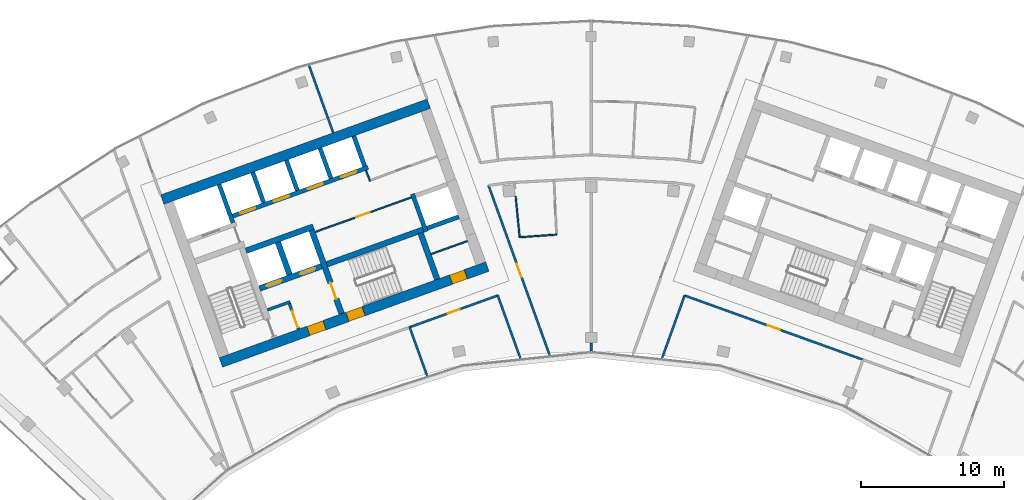
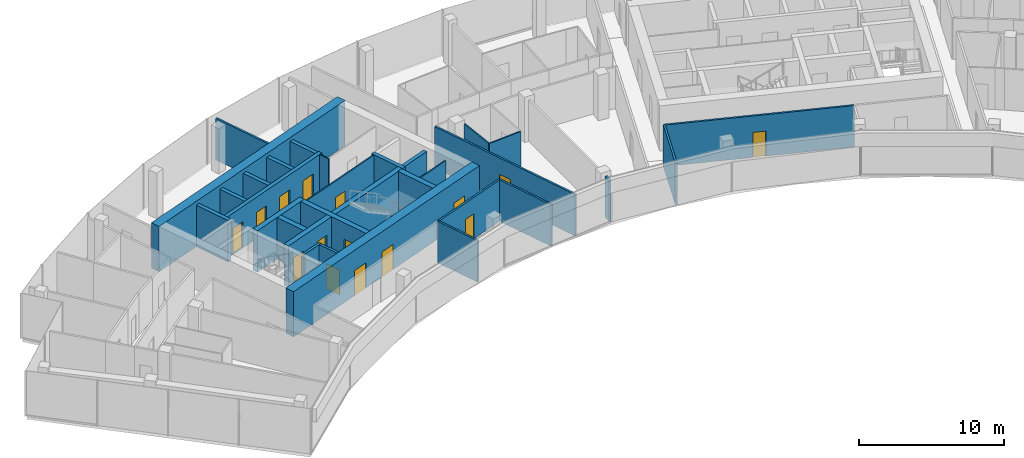
# One storey, part 13 of 18: 30 walls, 15 doors, 15 openings.
"""IFC4 building model written with IfcOpenShell, lengths in metres."""

import ifcopenshell
import ifcopenshell.guid

model = None  # the IFC model being written
_history = None  # IfcOwnerHistory: only IFC2X3 demands one
_inside = {}  # id of a spatial element -> (the spatial element, [elements in it])
_under = {}  # id of a project, library or spatial element -> (it, [spatial elements below it])
_declared = {}  # id of a project -> (the project, [libraries it declares])
_typed = {}  # id of a type object -> (the type object, [elements of that type])
_made_of = {}  # id of a material, layer set ... -> (it, [elements and type objects made of it])


def new_model(schema):
    """Start an empty IFC model of exactly this schema.

    Asked for "IFC4X3", IfcOpenShell would pick the latest addendum, in which some entities
    have other attributes; the version numbers below select the first issue.
    IFC2X3 requires an IfcOwnerHistory on every rooted entity: one is made here for all.
    """
    global model, _history
    if schema == "IFC4X3":
        model = ifcopenshell.file(schema_version=(4, 3, 0, 0))
    else:
        model = ifcopenshell.file(schema=schema)
    _inside.clear()
    _under.clear()
    _declared.clear()
    _typed.clear()
    _made_of.clear()
    _history = None
    if model.schema == "IFC2X3":
        org = make("IfcOrganization", Name="unknown")
        user = make(
            "IfcPersonAndOrganization",
            ThePerson=make("IfcPerson", FamilyName="unknown"),
            TheOrganization=org,
        )
        app = make(
            "IfcApplication",
            ApplicationDeveloper=org,
            Version="unknown",
            ApplicationFullName="unknown",
            ApplicationIdentifier="unknown",
        )
        _history = make(
            "IfcOwnerHistory",
            OwningUser=user,
            OwningApplication=app,
            ChangeAction="ADDED",
            CreationDate=0,
        )
    return model


def make(cls, **values):
    """One entity of the class cls with the attributes given. An attribute that is None is left unset."""
    return model.create_entity(
        cls, **{name: value for name, value in values.items() if value is not None}
    )


def rooted(cls, **values):
    """An entity with a GlobalId (a new one), such as an element, a storey or a relation."""
    return make(cls, GlobalId=ifcopenshell.guid.new(), OwnerHistory=_history, **values)


def si_unit(unit_type, name, prefix=None):
    """IfcSIUnit, for example si_unit("LENGTHUNIT", "METRE", prefix="MILLI")."""
    return make("IfcSIUnit", UnitType=unit_type, Prefix=prefix, Name=name)


def assignment(units):
    """IfcUnitAssignment: the units of a project."""
    return None if units is None else make("IfcUnitAssignment", Units=units)


def point(xyz):
    """IfcCartesianPoint."""
    return None if xyz is None else make("IfcCartesianPoint", Coordinates=xyz)


def direction(xyz):
    """IfcDirection."""
    return None if xyz is None else make("IfcDirection", DirectionRatios=xyz)


def frame(location, z_axis=None, x_axis=None):
    """IfcAxis2Placement3D, a coordinate frame: its origin and axes. An axis left out is left unset."""
    return make(
        "IfcAxis2Placement3D",
        Location=point(location),
        Axis=direction(z_axis),
        RefDirection=direction(x_axis),
    )


def frame_2d(location, x_axis=None):
    """IfcAxis2Placement2D, a coordinate frame in the plane: its origin and x axis."""
    return make(
        "IfcAxis2Placement2D", Location=point(location), RefDirection=direction(x_axis)
    )


def origin():
    """The frame at (0, 0, 0) with its axes left unset."""
    return frame((0.0, 0.0, 0.0))


def place(relative_to, where):
    """IfcLocalPlacement: puts the frame where relative to a parent placement (None: the world)."""
    return make(
        "IfcLocalPlacement", PlacementRelTo=relative_to, RelativePlacement=where
    )


def context(
    kind, dimensions, precision=None, world=None, true_north=None, identifier=None
):
    """IfcGeometricRepresentationContext, for example the 3D "Model" context."""
    return make(
        "IfcGeometricRepresentationContext",
        ContextIdentifier=identifier,
        ContextType=kind,
        CoordinateSpaceDimension=dimensions,
        Precision=precision,
        WorldCoordinateSystem=world,
        TrueNorth=true_north,
    )


def subcontext(parent, identifier, kind, view, scale=None):
    """IfcGeometricRepresentationSubContext, for example "Body" below "Model"."""
    return make(
        "IfcGeometricRepresentationSubContext",
        ContextIdentifier=identifier,
        ContextType=kind,
        ParentContext=parent,
        TargetScale=scale,
        TargetView=view,
    )


def project(units=None, contexts=None):
    """IfcProject with its units and contexts."""
    return rooted(
        "IfcProject",
        Name="project",
        RepresentationContexts=contexts,
        UnitsInContext=assignment(units),
    )


def spatial(cls, under=None, at=None, **own):
    """A site, building, storey or space (cls), placed at a placement, below another one or the project."""
    s = rooted(cls, ObjectPlacement=at, **own)
    if under is not None:
        _under.setdefault(under.id(), (under, []))[1].append(s)
    return s


def profile(cls, at=None, kind="AREA", **sizes):
    """A parametric profile (cls). Its sizes go by their IFC names, for example OverallWidth=200.0."""
    return make(cls, ProfileType=kind, Position=at, **sizes)


def rectangle(**sizes):
    """IfcRectangleProfileDef."""
    return profile("IfcRectangleProfileDef", **sizes)


def extrude(swept, where, along, depth):
    """IfcExtrudedAreaSolid: the profile swept, set in the frame where, extruded along a direction by depth."""
    return make(
        "IfcExtrudedAreaSolid",
        SweptArea=swept,
        Position=where,
        ExtrudedDirection=direction(along),
        Depth=depth,
    )


def shape(context_of_items, identifier, shape_type, items):
    """IfcShapeRepresentation: the items that make up one representation, for example the "Body"."""
    return make(
        "IfcShapeRepresentation",
        ContextOfItems=context_of_items,
        RepresentationIdentifier=identifier,
        RepresentationType=shape_type,
        Items=items,
    )


def material(Name=None, Category=None):
    """IfcMaterial."""
    return make("IfcMaterial", Name=Name, Category=Category)


def layer(
    of_material, thickness, ventilated=None, Name=None, Category=None, Priority=None
):
    """IfcMaterialLayer: one layer of a wall or slab, of a material (None: an air gap)."""
    return make(
        "IfcMaterialLayer",
        Material=of_material,
        LayerThickness=thickness,
        IsVentilated=ventilated,
        Name=Name,
        Category=Category,
        Priority=Priority,
    )


def layer_set(layers, Name=None):
    """IfcMaterialLayerSet."""
    return make("IfcMaterialLayerSet", MaterialLayers=layers, LayerSetName=Name)


def made_of(thing, what):
    """Note that an element or type object is made of a material, layer set ...; save() writes the relation."""
    if what is not None:
        _made_of.setdefault(what.id(), (what, []))[1].append(thing)
    return thing


def type_object(cls, material=None, **own):
    """A type object (cls), such as IfcWallType, which elements share."""
    return made_of(rooted(cls, **own), material)


def element(
    cls,
    number,
    at=None,
    inside=None,
    cuts=None,
    type_object=None,
    material=None,
    context=None,
    identifier="Body",
    shape_type=None,
    held_by="IfcProductDefinitionShape",
    body=None,
    shapes=None,
    **own,
):
    """One element of the class cls, such as IfcWall. Its Tag is "e" and its number.

    at: its placement. inside: the storey or other place that contains it. cuts: it is an
    opening in that element (IfcRelVoidsElement). A single representation is given by context,
    identifier, shape_type and body (its items); several are given by shapes. held_by: the class
    of the entity that holds the representations. save() writes the other relations.
    """
    e = rooted(cls, Tag="e%d" % number, ObjectPlacement=at, **own)
    if body is not None:
        shapes = [shape(context, identifier, shape_type, body)]
    if shapes is not None:
        e.Representation = make(held_by, Representations=shapes)
    if inside is not None:
        _inside.setdefault(inside.id(), (inside, []))[1].append(e)
    if cuts is not None:
        rooted(
            "IfcRelVoidsElement", RelatingBuildingElement=cuts, RelatedOpeningElement=e
        )
    if type_object is not None:
        _typed.setdefault(type_object.id(), (type_object, []))[1].append(e)
    return made_of(e, material)


def fill(opening, filler):
    """IfcRelFillsElement: the door or window that sits in an opening."""
    return rooted(
        "IfcRelFillsElement",
        RelatingOpeningElement=opening,
        RelatedBuildingElement=filler,
    )


def aggregate(whole, parts):
    """IfcRelAggregates: a whole, such as a stair, and the parts it consists of."""
    return rooted("IfcRelAggregates", RelatingObject=whole, RelatedObjects=parts)


def save(model, path):
    """Write the relations noted so far, then the file.

    IfcRelAggregates (storeys below a building ...), IfcRelContainedInSpatialStructure (elements
    in a storey), IfcRelDefinesByType, IfcRelAssociatesMaterial and IfcRelDeclares: one each for
    every whole, place, type object, material and project.
    """
    for whole, parts in _under.values():
        aggregate(whole, parts)
    for where, things in _inside.values():
        rooted(
            "IfcRelContainedInSpatialStructure",
            RelatedElements=things,
            RelatingStructure=where,
        )
    for kind, things in _typed.values():
        rooted("IfcRelDefinesByType", RelatedObjects=things, RelatingType=kind)
    for what, things in _made_of.values():
        rooted("IfcRelAssociatesMaterial", RelatedObjects=things, RelatingMaterial=what)
    for by, libraries in _declared.values():
        rooted("IfcRelDeclares", RelatingContext=by, RelatedDefinitions=libraries)
    model.write(path)


model = new_model("IFC4")

# Units and contexts
model_context = context("Model", 3, precision=1e-05, world=origin(), true_north=direction((0.0, 1.0)))
body_context = subcontext(model_context, "Body", "Model", "MODEL_VIEW")
ifc_project = project(units=[si_unit("LENGTHUNIT", "METRE"), si_unit("AREAUNIT", "SQUARE_METRE"), si_unit("VOLUMEUNIT", "CUBIC_METRE"), si_unit("PLANEANGLEUNIT", "RADIAN"), si_unit("MASSUNIT", "GRAM", prefix="KILO")], contexts=[model_context])

# Site, building, storey
site_placement = place(None, origin())
site = spatial("IfcSite", under=ifc_project, at=site_placement, CompositionType="ELEMENT")
building_placement = place(site_placement, origin())
building = spatial("IfcBuilding", under=site, at=building_placement, Name="Stone Belt Terrace Tower", CompositionType="ELEMENT")
storey_placement = place(building_placement, frame((0.0, 0.0, 284.60009765625)))
storey = spatial("IfcBuildingStorey", under=building, at=storey_placement, Name="L69", CompositionType="ELEMENT", Elevation=284.60009765625)

# Wall, opening, door
ifc_material_1 = material(Name="Plasterboard partition")
ifc_layer_1 = layer(ifc_material_1, 0.10009765625)
ifc_layer_set_1 = layer_set([ifc_layer_1], Name="Core partition 100")
wall_type_1 = type_object("IfcWallType", Name="Core partition 100", PredefinedType="PARTITIONING", material=ifc_layer_set_1)
wall_1_placement = place(storey_placement, frame((-19.29052734375, 51.829833984375, 0.0), z_axis=(0.0, 0.0, 1.0), x_axis=(0.94092179465, 0.338623945331, 0.0)))
wall_1 = element("IfcWall", 1, at=wall_1_placement, inside=storey, type_object=wall_type_1, Name="Core A wall", PredefinedType="PARTITIONING", context=body_context, shape_type="SweptSolid", body=[
    extrude(rectangle(XDim=7.14990234375, YDim=0.10009765625, at=frame_2d((3.574951171875, 0.0))), origin(), (0.0, 0.0, 1.0), 3.47998046875),
])
opening_1_placement = place(wall_1_placement, frame((3.050048828125, 0.0, 0.0)))
opening_1 = element("IfcOpeningElement", 2, at=opening_1_placement, cuts=wall_1, Name="Opening L69-C02", PredefinedType="OPENING", context=body_context, shape_type="SweptSolid", body=[
    extrude(rectangle(XDim=1.0, YDim=2.10009765625, at=frame_2d((0.5, 1.050048828125))), frame((0.0, 0.06005859375, 0.0), z_axis=(0.0, -1.0, 0.0), x_axis=(1.0, 0.0, 0.0)), (0.0, 0.0, 1.0), 0.1201171875),
])
ifc_material_2 = material(Name="Timber door leaf", Category="wood")
door_type_1 = type_object("IfcDoorType", Name="Core room door 1000", OperationType="SINGLE_SWING_LEFT", PredefinedType="DOOR", material=ifc_material_2)
door_1_placement = place(opening_1_placement, origin())
door_1 = element("IfcDoor", 3, at=door_1_placement, inside=storey, type_object=door_type_1, Name="Door to Plant room core A", OperationType="SINGLE_SWING_RIGHT", OverallHeight=2.10009765625, OverallWidth=1.0, PredefinedType="DOOR", context=body_context, shape_type="SweptSolid", body=[
    extrude(rectangle(XDim=1.0, YDim=2.10009765625, at=frame_2d((0.5, 1.050048828125))), frame((0.0, 0.02490234375, 0.0), z_axis=(0.0, -1.0, 0.0), x_axis=(1.0, 0.0, 0.0)), (0.0, 0.0, 1.0), 0.050048828125),
])
fill(opening_1, door_1)

# Walls
wall_2_placement = place(storey_placement, frame((-15.46826171875, 55.384033203125, 0.0), z_axis=(0.0, 0.0, 1.0), x_axis=(-0.338481684961, 0.940972979923, 0.0)))
element("IfcWall", 4, at=wall_2_placement, inside=storey, type_object=wall_type_1, Name="Core A wall", PredefinedType="PARTITIONING", context=body_context, shape_type="SweptSolid", body=[
    extrude(rectangle(XDim=0.7998046875, YDim=0.10009765625, at=frame_2d((0.39990234375, 0.0))), origin(), (0.0, 0.0, 1.0), 3.47998046875),
])
wall_3_placement = place(storey_placement, frame((-11.187744140625, 50.2822265625, 0.0), z_axis=(0.0, 0.0, 1.0), x_axis=(0.940949642365, 0.338546555931, 0.0)))
element("IfcWall", 5, at=wall_3_placement, inside=storey, type_object=wall_type_1, Name="Core A wall", PredefinedType="PARTITIONING", context=body_context, shape_type="SweptSolid", body=[
    extrude(rectangle(XDim=2.699951171875, YDim=0.10009765625, at=frame_2d((1.35009765625, 0.0))), origin(), (0.0, 0.0, 1.0), 3.47998046875),
])

# Wall, openings, doors
ifc_material_3 = material(Name="Concrete B60", Category="concrete")
ifc_layer_2 = layer(ifc_material_3, 0.699951171875)
ifc_layer_set_2 = layer_set([ifc_layer_2], Name="Core wall 700 B60")
wall_type_2 = type_object("IfcWallType", Name="Core wall 700 B60", PredefinedType="SHEAR", material=ifc_layer_set_2)
wall_4_placement = place(storey_placement, frame((-25.890869140625, 42.705810546875, 0.0), z_axis=(0.0, 0.0, 1.0), x_axis=(0.940925130461, 0.338614676094, 0.0)))
wall_4 = element("IfcWall", 6, at=wall_4_placement, inside=storey, type_object=wall_type_2, Name="Core A wall concave L69", PredefinedType="SHEAR", context=body_context, shape_type="SweptSolid", body=[
    extrude(rectangle(XDim=19.800048828125, YDim=0.699951171875, at=frame_2d((9.89990234375, 0.0))), origin(), (0.0, 0.0, 1.0), 3.7998046875),
])
opening_2_placement = place(wall_4_placement, frame((6.5, 0.0, 0.0)))
opening_2 = element("IfcOpeningElement", 7, at=opening_2_placement, cuts=wall_4, Name="Opening L69-C07", PredefinedType="OPENING", context=body_context, shape_type="SweptSolid", body=[
    extrude(rectangle(XDim=1.199951171875, YDim=2.10009765625, at=frame_2d((0.60009765625, 1.050048828125))), frame((0.0, 0.35986328125, 0.0), z_axis=(0.0, -1.0, 0.0), x_axis=(1.0, 0.0, 0.0)), (0.0, 0.0, 1.0), 0.719970703125),
])
opening_3_placement = place(wall_4_placement, frame((9.39990234375, 0.0, 0.0)))
opening_3 = element("IfcOpeningElement", 8, at=opening_3_placement, cuts=wall_4, Name="Opening L69-C09", PredefinedType="OPENING", context=body_context, shape_type="SweptSolid", body=[
    extrude(rectangle(XDim=1.199951171875, YDim=2.10009765625, at=frame_2d((0.60009765625, 1.050048828125))), frame((0.0, 0.35986328125, 0.0), z_axis=(0.0, -1.0, 0.0), x_axis=(1.0, 0.0, 0.0)), (0.0, 0.0, 1.0), 0.719970703125),
])
opening_4_placement = place(wall_4_placement, frame((17.10009765625, 0.0, 0.0)))
opening_4 = element("IfcOpeningElement", 9, at=opening_4_placement, cuts=wall_4, Name="Opening L69-C11", PredefinedType="OPENING", context=body_context, shape_type="SweptSolid", body=[
    extrude(rectangle(XDim=1.10009765625, YDim=2.10009765625, at=frame_2d((0.550048828125, 1.050048828125))), frame((0.0, 0.35986328125, 0.0), z_axis=(0.0, -1.0, 0.0), x_axis=(1.0, 0.0, 0.0)), (0.0, 0.0, 1.0), 0.719970703125),
])
door_type_2 = type_object("IfcDoorType", Name="Core room door 1100", OperationType="SINGLE_SWING_LEFT", PredefinedType="DOOR", material=ifc_material_2)
door_2_placement = place(opening_4_placement, origin())
door_2 = element("IfcDoor", 10, at=door_2_placement, inside=storey, type_object=door_type_2, Name="Door to Cleaner's store core A", OperationType="SINGLE_SWING_RIGHT", OverallHeight=2.10009765625, OverallWidth=1.10009765625, PredefinedType="DOOR", context=body_context, shape_type="SweptSolid", body=[
    extrude(rectangle(XDim=1.10009765625, YDim=2.10009765625, at=frame_2d((0.550048828125, 1.050048828125))), frame((0.0, 0.330078125, 0.0), z_axis=(0.0, -1.0, 0.0), x_axis=(1.0, 0.0, 0.0)), (0.0, 0.0, 1.0), 0.659912109375),
])
fill(opening_4, door_2)
ifc_material_4 = material(Name="Steel door leaf", Category="steel")
door_type_3 = type_object("IfcDoorType", Name="Fire-fighting lobby door 1200", OperationType="SINGLE_SWING_LEFT", PredefinedType="DOOR", material=ifc_material_4)
door_3_placement = place(opening_2_placement, origin())
door_3 = element("IfcDoor", 11, at=door_3_placement, inside=storey, type_object=door_type_3, Name="Fire-fighting lobby door core A", OperationType="SINGLE_SWING_RIGHT", OverallHeight=2.10009765625, OverallWidth=1.199951171875, PredefinedType="DOOR", context=body_context, shape_type="SweptSolid", body=[
    extrude(rectangle(XDim=1.199951171875, YDim=2.10009765625, at=frame_2d((0.60009765625, 1.050048828125))), frame((0.0, 0.330078125, 0.0), z_axis=(0.0, -1.0, 0.0), x_axis=(1.0, 0.0, 0.0)), (0.0, 0.0, 1.0), 0.659912109375),
])
fill(opening_2, door_3)
door_type_4 = type_object("IfcDoorType", Name="Stair door 1200", OperationType="SINGLE_SWING_LEFT", PredefinedType="DOOR", material=ifc_material_4)
door_4_placement = place(opening_3_placement, origin())
door_4 = element("IfcDoor", 12, at=door_4_placement, inside=storey, type_object=door_type_4, Name="Stair 2 exit door core A", OperationType="SINGLE_SWING_LEFT", OverallHeight=2.10009765625, OverallWidth=1.199951171875, PredefinedType="DOOR", context=body_context, shape_type="SweptSolid", body=[
    extrude(rectangle(XDim=1.199951171875, YDim=2.10009765625, at=frame_2d((0.60009765625, 1.050048828125))), frame((0.0, 0.330078125, 0.0), z_axis=(0.0, -1.0, 0.0), x_axis=(1.0, 0.0, 0.0)), (0.0, 0.0, 1.0), 0.659912109375),
])
fill(opening_3, door_4)

# Walls
wall_5_placement = place(storey_placement, frame((-29.988037109375, 54.0908203125, 0.0), z_axis=(0.0, 0.0, 1.0), x_axis=(0.940919787944, 0.33862952124, 0.0)))
element("IfcWall", 13, at=wall_5_placement, inside=storey, type_object=wall_type_2, Name="Core A wall convex L69", PredefinedType="SHEAR", context=body_context, shape_type="SweptSolid", body=[
    extrude(rectangle(XDim=19.7998046875, YDim=0.699951171875, at=frame_2d((9.89990234375, 0.0))), origin(), (0.0, 0.0, 1.0), 3.7998046875),
])
ifc_material_5 = material(Name="Concrete B80", Category="concrete")
ifc_layer_3 = layer(ifc_material_5, 0.39990234375)
ifc_layer_set_3 = layer_set([ifc_layer_3], Name="Fire-fighting lift shaft wall 400")
wall_type_3 = type_object("IfcWallType", Name="Fire-fighting lift shaft wall 400", PredefinedType="SHEAR", material=ifc_layer_set_3)
wall_6_placement = place(storey_placement, frame((-24.130615234375, 50.512939453125, 0.0), z_axis=(0.0, 0.0, 1.0), x_axis=(0.94091168377, 0.338652038744, 0.0)))
element("IfcWall", 14, at=wall_6_placement, inside=storey, type_object=wall_type_3, Name="Core A wall", PredefinedType="SHEAR", context=body_context, shape_type="SweptSolid", body=[
    extrude(rectangle(XDim=5.000244140625, YDim=0.39990234375, at=frame_2d((2.5, 0.0))), origin(), (0.0, 0.0, 1.0), 3.47998046875),
])
wall_7_placement = place(storey_placement, frame((-21.0859375, 48.845458984375, 0.0), z_axis=(0.0, 0.0, 1.0), x_axis=(-0.338629416206, 0.940919825745, 0.0)))
element("IfcWall", 15, at=wall_7_placement, inside=storey, type_object=wall_type_3, Name="Core A wall", PredefinedType="SHEAR", context=body_context, shape_type="SweptSolid", body=[
    extrude(rectangle(XDim=2.400146484375, YDim=0.39990234375, at=frame_2d((1.2001953125, 0.0))), origin(), (0.0, 0.0, 1.0), 3.47998046875),
])
ifc_layer_4 = layer(ifc_material_5, 0.300048828125)
ifc_layer_set_4 = layer_set([ifc_layer_4], Name="Lift shaft wall 300")
wall_type_4 = type_object("IfcWallType", Name="Lift shaft wall 300", PredefinedType="SHEAR", material=ifc_layer_set_4)
wall_8_placement = place(storey_placement, frame((-25.046875, 52.46826171875, 0.0), z_axis=(0.0, 0.0, 1.0), x_axis=(-0.338549588058, 0.940948551423, 0.0)))
element("IfcWall", 16, at=wall_8_placement, inside=storey, type_object=wall_type_4, Name="Core A wall", PredefinedType="SHEAR", context=body_context, shape_type="SweptSolid", body=[
    extrude(rectangle(XDim=2.849853515625, YDim=0.300048828125, at=frame_2d((1.4248046875, 0.0))), origin(), (0.0, 0.0, 1.0), 3.47998046875),
])

# Wall, openings, doors
wall_9_placement = place(storey_placement, frame((-25.05810546875, 52.9423828125, 0.0), z_axis=(0.0, 0.0, 1.0), x_axis=(0.940917446785, 0.338636026339, 0.0)))
wall_9 = element("IfcWall", 17, at=wall_9_placement, inside=storey, type_object=wall_type_4, Name="Core A wall", PredefinedType="SHEAR", context=body_context, shape_type="SweptSolid", body=[
    extrude(rectangle(XDim=10.050048828125, YDim=0.300048828125, at=frame_2d((5.02490234375, 0.0))), origin(), (0.0, 0.0, 1.0), 3.47998046875),
])
opening_5_placement = place(wall_9_placement, frame((0.570068359375, 0.0, 0.0)))
opening_5 = element("IfcOpeningElement", 18, at=opening_5_placement, cuts=wall_9, Name="Opening L69-LD01", PredefinedType="OPENING", context=body_context, shape_type="SweptSolid", body=[
    extrude(rectangle(XDim=1.10009765625, YDim=2.199951171875, at=frame_2d((0.550048828125, 1.10009765625))), frame((0.0, 0.159912109375, 0.0), z_axis=(0.0, -1.0, 0.0), x_axis=(1.0, 0.0, 0.0)), (0.0, 0.0, 1.0), 0.320068359375),
])
opening_6_placement = place(wall_9_placement, frame((3.070068359375, 0.0, 0.0)))
opening_6 = element("IfcOpeningElement", 19, at=opening_6_placement, cuts=wall_9, Name="Opening L69-LD02", PredefinedType="OPENING", context=body_context, shape_type="SweptSolid", body=[
    extrude(rectangle(XDim=1.10009765625, YDim=2.199951171875, at=frame_2d((0.550048828125, 1.10009765625))), frame((0.0, 0.159912109375, 0.0), z_axis=(0.0, -1.0, 0.0), x_axis=(1.0, 0.0, 0.0)), (0.0, 0.0, 1.0), 0.320068359375),
])
opening_7_placement = place(wall_9_placement, frame((5.570068359375, 0.0, 0.0)))
opening_7 = element("IfcOpeningElement", 20, at=opening_7_placement, cuts=wall_9, Name="Opening L69-LD03", PredefinedType="OPENING", context=body_context, shape_type="SweptSolid", body=[
    extrude(rectangle(XDim=1.10009765625, YDim=2.199951171875, at=frame_2d((0.550048828125, 1.10009765625))), frame((0.0, 0.159912109375, 0.0), z_axis=(0.0, -1.0, 0.0), x_axis=(1.0, 0.0, 0.0)), (0.0, 0.0, 1.0), 0.320068359375),
])
opening_8_placement = place(wall_9_placement, frame((8.070068359375, 0.0, 0.0)))
opening_8 = element("IfcOpeningElement", 21, at=opening_8_placement, cuts=wall_9, Name="Opening L69-LD04", PredefinedType="OPENING", context=body_context, shape_type="SweptSolid", body=[
    extrude(rectangle(XDim=1.10009765625, YDim=2.199951171875, at=frame_2d((0.550048828125, 1.10009765625))), frame((0.0, 0.159912109375, 0.0), z_axis=(0.0, -1.0, 0.0), x_axis=(1.0, 0.0, 0.0)), (0.0, 0.0, 1.0), 0.320068359375),
])
ifc_material_6 = material(Name="Stainless steel door leaf", Category="steel")
door_type_5 = type_object("IfcDoorType", Name="Landing door 1100", OperationType="SLIDING_TO_LEFT", PredefinedType="DOOR", material=ifc_material_6)
door_5_placement = place(opening_5_placement, origin())
door_5 = element("IfcDoor", 22, at=door_5_placement, inside=storey, type_object=door_type_5, Name="Landing door HR1 core A", OperationType="SLIDING_TO_LEFT", OverallHeight=2.199951171875, OverallWidth=1.10009765625, PredefinedType="DOOR", context=body_context, shape_type="SweptSolid", body=[
    extrude(rectangle(XDim=1.10009765625, YDim=2.199951171875, at=frame_2d((0.550048828125, 1.10009765625))), frame((0.0, 0.02490234375, 0.0), z_axis=(0.0, -1.0, 0.0), x_axis=(1.0, 0.0, 0.0)), (0.0, 0.0, 1.0), 0.050048828125),
])
fill(opening_5, door_5)
door_6_placement = place(opening_6_placement, origin())
door_6 = element("IfcDoor", 23, at=door_6_placement, inside=storey, type_object=door_type_5, Name="Landing door HR2 core A", OperationType="SLIDING_TO_LEFT", OverallHeight=2.199951171875, OverallWidth=1.10009765625, PredefinedType="DOOR", context=body_context, shape_type="SweptSolid", body=[
    extrude(rectangle(XDim=1.10009765625, YDim=2.199951171875, at=frame_2d((0.550048828125, 1.10009765625))), frame((0.0, 0.02490234375, 0.0), z_axis=(0.0, -1.0, 0.0), x_axis=(1.0, 0.0, 0.0)), (0.0, 0.0, 1.0), 0.050048828125),
])
fill(opening_6, door_6)
door_7_placement = place(opening_7_placement, origin())
door_7 = element("IfcDoor", 24, at=door_7_placement, inside=storey, type_object=door_type_5, Name="Landing door HR3 core A", OperationType="SLIDING_TO_LEFT", OverallHeight=2.199951171875, OverallWidth=1.10009765625, PredefinedType="DOOR", context=body_context, shape_type="SweptSolid", body=[
    extrude(rectangle(XDim=1.10009765625, YDim=2.199951171875, at=frame_2d((0.550048828125, 1.10009765625))), frame((0.0, 0.02490234375, 0.0), z_axis=(0.0, -1.0, 0.0), x_axis=(1.0, 0.0, 0.0)), (0.0, 0.0, 1.0), 0.050048828125),
])
fill(opening_7, door_7)
door_8_placement = place(opening_8_placement, origin())
door_8 = element("IfcDoor", 25, at=door_8_placement, inside=storey, type_object=door_type_5, Name="Landing door HR4 core A", OperationType="SLIDING_TO_LEFT", OverallHeight=2.199951171875, OverallWidth=1.10009765625, PredefinedType="DOOR", context=body_context, shape_type="SweptSolid", body=[
    extrude(rectangle(XDim=1.10009765625, YDim=2.199951171875, at=frame_2d((0.550048828125, 1.10009765625))), frame((0.0, 0.02490234375, 0.0), z_axis=(0.0, -1.0, 0.0), x_axis=(1.0, 0.0, 0.0)), (0.0, 0.0, 1.0), 0.050048828125),
])
fill(opening_8, door_8)

# Walls
wall_10_placement = place(storey_placement, frame((-22.897705078125, 53.87939453125, 0.0), z_axis=(0.0, 0.0, 1.0), x_axis=(-0.338535034312, 0.940953787677, 0.0)))
element("IfcWall", 26, at=wall_10_placement, inside=storey, type_object=wall_type_4, Name="Core A wall", PredefinedType="SHEAR", context=body_context, shape_type="SweptSolid", body=[
    extrude(rectangle(XDim=2.25, YDim=0.300048828125, at=frame_2d((1.125, 0.0))), origin(), (0.0, 0.0, 1.0), 3.47998046875),
])
wall_11_placement = place(storey_placement, frame((-20.54541015625, 54.72607421875, 0.0), z_axis=(0.0, 0.0, 1.0), x_axis=(-0.338569601369, 0.940941350472, 0.0)))
element("IfcWall", 27, at=wall_11_placement, inside=storey, type_object=wall_type_4, Name="Core A wall", PredefinedType="SHEAR", context=body_context, shape_type="SweptSolid", body=[
    extrude(rectangle(XDim=2.249755859375, YDim=0.300048828125, at=frame_2d((1.125, 0.0))), origin(), (0.0, 0.0, 1.0), 3.47998046875),
])
wall_12_placement = place(storey_placement, frame((-18.193115234375, 55.572509765625, 0.0), z_axis=(0.0, 0.0, 1.0), x_axis=(-0.338535034312, 0.940953787677, 0.0)))
element("IfcWall", 28, at=wall_12_placement, inside=storey, type_object=wall_type_4, Name="Core A wall", PredefinedType="SHEAR", context=body_context, shape_type="SweptSolid", body=[
    extrude(rectangle(XDim=2.25, YDim=0.300048828125, at=frame_2d((1.125, 0.0))), origin(), (0.0, 0.0, 1.0), 3.47998046875),
])
wall_13_placement = place(storey_placement, frame((-15.8408203125, 56.419189453125, 0.0), z_axis=(0.0, 0.0, 1.0), x_axis=(-0.338569601369, 0.940941350472, 0.0)))
element("IfcWall", 29, at=wall_13_placement, inside=storey, type_object=wall_type_4, Name="Core A wall", PredefinedType="SHEAR", context=body_context, shape_type="SweptSolid", body=[
    extrude(rectangle(XDim=2.249755859375, YDim=0.300048828125, at=frame_2d((1.125, 0.0))), origin(), (0.0, 0.0, 1.0), 3.47998046875),
])
wall_14_placement = place(storey_placement, frame((-11.541259765625, 51.85546875, 0.0), z_axis=(0.0, 0.0, 1.0), x_axis=(-0.338660803216, 0.940908529223, 0.0)))
element("IfcWall", 30, at=wall_14_placement, inside=storey, type_object=wall_type_4, Name="Core A wall", PredefinedType="SHEAR", context=body_context, shape_type="SweptSolid", body=[
    extrude(rectangle(XDim=2.800048828125, YDim=0.300048828125, at=frame_2d((1.39990234375, 0.0))), origin(), (0.0, 0.0, 1.0), 3.47998046875),
])
wall_15_placement = place(storey_placement, frame((-11.468017578125, 52.09423828125, 0.0), z_axis=(0.0, 0.0, 1.0), x_axis=(0.940904627055, 0.338671644496, 0.0)))
element("IfcWall", 31, at=wall_15_placement, inside=storey, type_object=wall_type_4, Name="Core A wall", PredefinedType="SHEAR", context=body_context, shape_type="SweptSolid", body=[
    extrude(rectangle(XDim=2.35009765625, YDim=0.300048828125, at=frame_2d((1.175048828125, 0.0))), origin(), (0.0, 0.0, 1.0), 3.47998046875),
])
ifc_material_7 = material(Name="Gypsum board partition")
ifc_layer_5 = layer(ifc_material_7, 0.10009765625)
ifc_layer_set_5 = layer_set([ifc_layer_5], Name="PARTITION 100")
wall_type_5 = type_object("IfcWallType", Name="PARTITION 100", PredefinedType="PARTITIONING", material=ifc_layer_set_5)
wall_16_placement = place(storey_placement, frame((-5.2822265625, 54.330322265625, 0.0), z_axis=(0.0, 0.0, 1.0), x_axis=(0.096878993902, -0.995296167249, 0.0)))
element("IfcWall", 32, at=wall_16_placement, inside=storey, type_object=wall_type_5, Name="L69/wall/i094", PredefinedType="PARTITIONING", context=body_context, shape_type="SweptSolid", body=[
    extrude(rectangle(XDim=2.883056640625, YDim=0.10009765625, at=frame_2d((1.44140625, 0.0))), origin(), (0.0, 0.0, 1.0), 3.47998046875),
])
wall_17_placement = place(storey_placement, frame((-5.0029296875, 51.4609375, 0.0), z_axis=(0.0, 0.0, 1.0), x_axis=(0.997414466357, 0.071863636854, 0.0)))
element("IfcWall", 33, at=wall_17_placement, inside=storey, type_object=wall_type_5, Name="L69/wall/i095", PredefinedType="PARTITIONING", context=body_context, shape_type="SweptSolid", body=[
    extrude(rectangle(XDim=2.588623046875, YDim=0.10009765625, at=frame_2d((1.29443359375, 0.0))), origin(), (0.0, 0.0, 1.0), 3.47998046875),
])
ifc_layer_6 = layer(ifc_material_7, 0.14990234375)
ifc_layer_set_6 = layer_set([ifc_layer_6], Name="PARTITION 150 EI 60")
wall_type_6 = type_object("IfcWallType", Name="PARTITION 150 EI 60", PredefinedType="PARTITIONING", material=ifc_layer_set_6)
wall_18_placement = place(storey_placement, frame((-4.9462890625, 42.980224609375, 0.0), z_axis=(0.0, 0.0, 1.0), x_axis=(-0.338653121837, 0.940911293943, 0.0)))
element("IfcWall", 34, at=wall_18_placement, inside=storey, type_object=wall_type_6, Name="L69/wall/i009", PredefinedType="PARTITIONING", context=body_context, shape_type="SweptSolid", body=[
    extrude(rectangle(XDim=4.69091796875, YDim=0.14990234375, at=frame_2d((2.345458984375, 0.0))), origin(), (0.0, 0.0, 1.0), 3.47998046875),
])

# Wall, opening, door
wall_19_placement = place(storey_placement, frame((-7.177978515625, 55.089111328125, 0.0), z_axis=(0.0, 0.0, 1.0), x_axis=(0.338597725617, -0.940931230328, 0.0)))
wall_19 = element("IfcWall", 35, at=wall_19_placement, inside=storey, type_object=wall_type_6, Name="L69/wall/i011", PredefinedType="PARTITIONING", context=body_context, shape_type="SweptSolid", body=[
    extrude(rectangle(XDim=12.640380859375, YDim=0.14990234375, at=frame_2d((6.3203125, 0.0))), origin(), (0.0, 0.0, 1.0), 3.47998046875),
])
opening_9_placement = place(wall_19_placement, frame((5.820068359375, 0.0, 0.0)))
opening_9 = element("IfcOpeningElement", 36, at=opening_9_placement, cuts=wall_19, Name="Opening D-E3-24", PredefinedType="OPENING", context=body_context, shape_type="SweptSolid", body=[
    extrude(rectangle(XDim=1.0, YDim=2.10009765625, at=frame_2d((0.5, 1.050048828125))), frame((0.0, 0.0849609375, 0.0), z_axis=(0.0, -1.0, 0.0), x_axis=(1.0, 0.0, 0.0)), (0.0, 0.0, 1.0), 0.169921875),
])
ifc_material_8 = material(Name="Timber fire door leaf", Category="wood")
door_type_6 = type_object("IfcDoorType", Name="TENANCY ENTRANCE DOOR 1000 X 2100", OperationType="NOTDEFINED", PredefinedType="DOOR", material=ifc_material_8)
door_9_placement = place(opening_9_placement, origin())
door_9 = element("IfcDoor", 37, at=door_9_placement, inside=storey, type_object=door_type_6, Name="L69/door/i24", OperationType="SINGLE_SWING_LEFT", OverallHeight=2.10009765625, OverallWidth=1.0, PredefinedType="DOOR", context=body_context, shape_type="SweptSolid", body=[
    extrude(rectangle(XDim=1.0, YDim=2.10009765625, at=frame_2d((0.5, 1.050048828125))), frame((0.0, 0.02490234375, 0.0), z_axis=(0.0, -1.0, 0.0), x_axis=(1.0, 0.0, 0.0)), (0.0, 0.0, 1.0), 0.050048828125),
])
fill(opening_9, door_9)

wall_20_placement = place(storey_placement, frame((-6.532958984375, 47.387939453125, 0.0), z_axis=(0.0, 0.0, 1.0), x_axis=(-0.940924925446, -0.338615245779, 0.0)))
wall_20 = element("IfcWall", 38, at=wall_20_placement, inside=storey, type_object=wall_type_6, Name="L69/wall/i014", PredefinedType="PARTITIONING", context=body_context, shape_type="SweptSolid", body=[
    extrude(rectangle(XDim=6.55322265625, YDim=0.14990234375, at=frame_2d((3.276611328125, 0.0))), origin(), (0.0, 0.0, 1.0), 3.47998046875),
])
opening_10_placement = place(wall_20_placement, frame((2.82666015625, 0.0, 0.0)))
opening_10 = element("IfcOpeningElement", 39, at=opening_10_placement, cuts=wall_20, Name="Opening D-E3-02", PredefinedType="OPENING", context=body_context, shape_type="SweptSolid", body=[
    extrude(rectangle(XDim=0.89990234375, YDim=2.10009765625, at=frame_2d((0.449951171875, 1.050048828125))), frame((0.0, 0.0849609375, 0.0), z_axis=(0.0, -1.0, 0.0), x_axis=(1.0, 0.0, 0.0)), (0.0, 0.0, 1.0), 0.169921875),
])
door_type_7 = type_object("IfcDoorType", Name="OFFICE DOOR 900 X 2100", OperationType="NOTDEFINED", PredefinedType="DOOR", material=ifc_material_2)
door_10_placement = place(opening_10_placement, origin())
door_10 = element("IfcDoor", 40, at=door_10_placement, inside=storey, type_object=door_type_7, Name="L69/door/i02", OperationType="SINGLE_SWING_RIGHT", OverallHeight=2.10009765625, OverallWidth=0.89990234375, PredefinedType="DOOR", context=body_context, shape_type="SweptSolid", body=[
    extrude(rectangle(XDim=0.89990234375, YDim=2.10009765625, at=frame_2d((0.449951171875, 1.050048828125))), frame((0.0, 0.02490234375, 0.0), z_axis=(0.0, -1.0, 0.0), x_axis=(1.0, 0.0, 0.0)), (0.0, 0.0, 1.0), 0.050048828125),
])
fill(opening_10, door_10)

# Walls
wall_21_placement = place(storey_placement, frame((-12.693115234375, 45.169921875, 0.0), z_axis=(0.0, 0.0, 1.0), x_axis=(0.33854758837, -0.940949270901, 0.0)))
element("IfcWall", 41, at=wall_21_placement, inside=storey, type_object=wall_type_6, Name="L69/wall/i015", PredefinedType="PARTITIONING", context=body_context, shape_type="SweptSolid", body=[
    extrude(rectangle(XDim=3.62158203125, YDim=0.14990234375, at=frame_2d((1.810791015625, 0.0))), origin(), (0.0, 0.0, 1.0), 3.47998046875),
])
wall_22_placement = place(storey_placement, frame((-19.726806640625, 63.465087890625, 0.0), z_axis=(0.0, 0.0, 1.0), x_axis=(0.338688316886, -0.940898625785, 0.0)))
element("IfcWall", 42, at=wall_22_placement, inside=storey, type_object=wall_type_6, Name="L69/wall/i016", PredefinedType="PARTITIONING", context=body_context, shape_type="SweptSolid", body=[
    extrude(rectangle(XDim=4.995361328125, YDim=0.14990234375, at=frame_2d((2.49755859375, 0.0))), origin(), (0.0, 0.0, 1.0), 3.47998046875),
])
wall_23_placement = place(storey_placement, frame((6.534912109375, 47.39404296875, 0.0), z_axis=(0.0, 0.0, 1.0), x_axis=(-0.338653121837, -0.940911293943, 0.0)))
element("IfcWall", 43, at=wall_23_placement, inside=storey, type_object=wall_type_6, Name="L69/wall/i017", PredefinedType="PARTITIONING", context=body_context, shape_type="SweptSolid", body=[
    extrude(rectangle(XDim=4.69091796875, YDim=0.14990234375, at=frame_2d((2.345458984375, 0.0))), origin(), (0.0, 0.0, 1.0), 3.47998046875),
])

# Wall, opening, door
wall_24_placement = place(storey_placement, frame((19.008056640625, 42.89794921875, 0.0), z_axis=(0.0, 0.0, 1.0), x_axis=(-0.940912526234, 0.338649698031, 0.0)))
wall_24 = element("IfcWall", 44, at=wall_24_placement, inside=storey, type_object=wall_type_6, Name="L69/wall/i029", PredefinedType="PARTITIONING", context=body_context, shape_type="SweptSolid", body=[
    extrude(rectangle(XDim=13.258544921875, YDim=0.14990234375, at=frame_2d((6.62939453125, 0.0))), origin(), (0.0, 0.0, 1.0), 3.47998046875),
])
opening_11_placement = place(wall_24_placement, frame((6.17919921875, 0.0, 0.0)))
opening_11 = element("IfcOpeningElement", 45, at=opening_11_placement, cuts=wall_24, Name="Opening D-E3-05", PredefinedType="OPENING", context=body_context, shape_type="SweptSolid", body=[
    extrude(rectangle(XDim=0.89990234375, YDim=2.10009765625, at=frame_2d((0.449951171875, 1.050048828125))), frame((0.0, 0.0849609375, 0.0), z_axis=(0.0, -1.0, 0.0), x_axis=(1.0, 0.0, 0.0)), (0.0, 0.0, 1.0), 0.169921875),
])
door_11_placement = place(opening_11_placement, origin())
door_11 = element("IfcDoor", 46, at=door_11_placement, inside=storey, type_object=door_type_7, Name="L69/door/i05", OperationType="SINGLE_SWING_RIGHT", OverallHeight=2.10009765625, OverallWidth=0.89990234375, PredefinedType="DOOR", context=body_context, shape_type="SweptSolid", body=[
    extrude(rectangle(XDim=0.89990234375, YDim=2.10009765625, at=frame_2d((0.449951171875, 1.050048828125))), frame((0.0, 0.02490234375, 0.0), z_axis=(0.0, -1.0, 0.0), x_axis=(1.0, 0.0, 0.0)), (0.0, 0.0, 1.0), 0.050048828125),
])
fill(opening_11, door_11)

# Walls
wall_25_placement = place(storey_placement, frame((0.0, 44.06494140625, 0.0), z_axis=(0.0, 0.0, 1.0), x_axis=(0.0, -1.0, 0.0)))
element("IfcWall", 47, at=wall_25_placement, inside=storey, type_object=wall_type_6, Name="L69/wall/i098", PredefinedType="PARTITIONING", context=body_context, shape_type="SweptSolid", body=[
    extrude(rectangle(XDim=0.56494140625, YDim=0.14990234375, at=frame_2d((0.282470703125, 0.0))), origin(), (0.0, 0.0, 1.0), 3.47998046875),
])
ifc_material_9 = material(Name="Concrete masonry block", Category="masonry")
ifc_layer_7 = layer(ifc_material_9, 0.199951171875)
ifc_layer_set_7 = layer_set([ifc_layer_7], Name="Rated lobby wall 200")
wall_type_7 = type_object("IfcWallType", Name="Rated lobby wall 200", PredefinedType="PARTITIONING", material=ifc_layer_set_7)
wall_26_placement = place(storey_placement, frame((-22.640625, 46.373046875, 0.0), z_axis=(0.0, 0.0, 1.0), x_axis=(0.940966110313, 0.338500781747, 0.0)))
element("IfcWall", 48, at=wall_26_placement, inside=storey, type_object=wall_type_7, Name="Core A wall", PredefinedType="PARTITIONING", context=body_context, shape_type="SweptSolid", body=[
    extrude(rectangle(XDim=1.699951171875, YDim=0.199951171875, at=frame_2d((0.85009765625, 0.0))), origin(), (0.0, 0.0, 1.0), 3.47998046875),
])

# Wall, opening, door
wall_27_placement = place(storey_placement, frame((-20.4580078125, 45.032958984375, 0.0), z_axis=(0.0, 0.0, 1.0), x_axis=(-0.338573865316, 0.940939816208, 0.0)))
wall_27 = element("IfcWall", 49, at=wall_27_placement, inside=storey, type_object=wall_type_7, Name="Core A wall", PredefinedType="PARTITIONING", context=body_context, shape_type="SweptSolid", body=[
    extrude(rectangle(XDim=1.900146484375, YDim=0.199951171875, at=frame_2d((0.9501953125, 0.0))), origin(), (0.0, 0.0, 1.0), 3.47998046875),
])
opening_12_placement = place(wall_27_placement, frame((0.14990234375, 0.0, 0.0)))
opening_12 = element("IfcOpeningElement", 50, at=opening_12_placement, cuts=wall_27, Name="Opening L69-C06", PredefinedType="OPENING", context=body_context, shape_type="SweptSolid", body=[
    extrude(rectangle(XDim=1.199951171875, YDim=2.10009765625, at=frame_2d((0.60009765625, 1.050048828125))), frame((0.0, 0.10986328125, 0.0), z_axis=(0.0, -1.0, 0.0), x_axis=(1.0, 0.0, 0.0)), (0.0, 0.0, 1.0), 0.219970703125),
])
door_12_placement = place(opening_12_placement, origin())
door_12 = element("IfcDoor", 51, at=door_12_placement, inside=storey, type_object=door_type_4, Name="Stair airlock door core A", OperationType="SINGLE_SWING_RIGHT", OverallHeight=2.10009765625, OverallWidth=1.199951171875, PredefinedType="DOOR", context=body_context, shape_type="SweptSolid", body=[
    extrude(rectangle(XDim=1.199951171875, YDim=2.10009765625, at=frame_2d((0.60009765625, 1.050048828125))), frame((0.0, 0.02490234375, 0.0), z_axis=(0.0, -1.0, 0.0), x_axis=(1.0, 0.0, 0.0)), (0.0, 0.0, 1.0), 0.050048828125),
])
fill(opening_12, door_12)

# Wall, openings, doors
ifc_layer_8 = layer(ifc_material_5, 0.39990234375)
ifc_layer_set_8 = layer_set([ifc_layer_8], Name="Stair enclosure wall 400")
wall_type_8 = type_object("IfcWallType", Name="Stair enclosure wall 400", PredefinedType="SHEAR", material=ifc_layer_set_8)
wall_28_placement = place(storey_placement, frame((-23.182373046875, 47.87841796875, 0.0), z_axis=(0.0, 0.0, 1.0), x_axis=(0.940921731919, 0.338624119641, 0.0)))
wall_28 = element("IfcWall", 52, at=wall_28_placement, inside=storey, type_object=wall_type_8, Name="Core A wall", PredefinedType="SHEAR", context=body_context, shape_type="SweptSolid", body=[
    extrude(rectangle(XDim=12.14990234375, YDim=0.39990234375, at=frame_2d((6.074951171875, 0.0))), origin(), (0.0, 0.0, 1.0), 3.47998046875),
])
opening_13_placement = place(wall_28_placement, frame((0.52001953125, 0.0, 0.0)))
opening_13 = element("IfcOpeningElement", 53, at=opening_13_placement, cuts=wall_28, Name="Opening L69-LD05", PredefinedType="OPENING", context=body_context, shape_type="SweptSolid", body=[
    extrude(rectangle(XDim=1.10009765625, YDim=2.199951171875, at=frame_2d((0.550048828125, 1.10009765625))), frame((0.0, 0.2099609375, 0.0), z_axis=(0.0, -1.0, 0.0), x_axis=(1.0, 0.0, 0.0)), (0.0, 0.0, 1.0), 0.419921875),
])
opening_14_placement = place(wall_28_placement, frame((3.02001953125, 0.0, 0.0)))
opening_14 = element("IfcOpeningElement", 54, at=opening_14_placement, cuts=wall_28, Name="Opening L69-LD06", PredefinedType="OPENING", context=body_context, shape_type="SweptSolid", body=[
    extrude(rectangle(XDim=1.10009765625, YDim=2.199951171875, at=frame_2d((0.550048828125, 1.10009765625))), frame((0.0, 0.2099609375, 0.0), z_axis=(0.0, -1.0, 0.0), x_axis=(1.0, 0.0, 0.0)), (0.0, 0.0, 1.0), 0.419921875),
])
door_13_placement = place(opening_13_placement, origin())
door_13 = element("IfcDoor", 55, at=door_13_placement, inside=storey, type_object=door_type_5, Name="Landing door FF1 core A", OperationType="SLIDING_TO_LEFT", OverallHeight=2.199951171875, OverallWidth=1.10009765625, PredefinedType="DOOR", context=body_context, shape_type="SweptSolid", body=[
    extrude(rectangle(XDim=1.10009765625, YDim=2.199951171875, at=frame_2d((0.550048828125, 1.10009765625))), frame((0.0, 0.02490234375, 0.0), z_axis=(0.0, -1.0, 0.0), x_axis=(1.0, 0.0, 0.0)), (0.0, 0.0, 1.0), 0.050048828125),
])
fill(opening_13, door_13)
door_14_placement = place(opening_14_placement, origin())
door_14 = element("IfcDoor", 56, at=door_14_placement, inside=storey, type_object=door_type_5, Name="Landing door FF2 core A", OperationType="SLIDING_TO_LEFT", OverallHeight=2.199951171875, OverallWidth=1.10009765625, PredefinedType="DOOR", context=body_context, shape_type="SweptSolid", body=[
    extrude(rectangle(XDim=1.10009765625, YDim=2.199951171875, at=frame_2d((0.550048828125, 1.10009765625))), frame((0.0, 0.02490234375, 0.0), z_axis=(0.0, -1.0, 0.0), x_axis=(1.0, 0.0, 0.0)), (0.0, 0.0, 1.0), 0.050048828125),
])
fill(opening_14, door_14)

# Wall, opening, door
wall_29_placement = place(storey_placement, frame((-17.447021484375, 46.116455078125, 0.0), z_axis=(0.0, 0.0, 1.0), x_axis=(-0.33860791464, 0.940927563707, 0.0)))
wall_29 = element("IfcWall", 57, at=wall_29_placement, inside=storey, type_object=wall_type_8, Name="Core A wall", PredefinedType="SHEAR", context=body_context, shape_type="SweptSolid", body=[
    extrude(rectangle(XDim=6.199951171875, YDim=0.39990234375, at=frame_2d((3.10009765625, 0.0))), origin(), (0.0, 0.0, 1.0), 3.47998046875),
])
opening_15_placement = place(wall_29_placement, frame((1.10009765625, 0.0, 0.0)))
opening_15 = element("IfcOpeningElement", 58, at=opening_15_placement, cuts=wall_29, Name="Opening L69-C08", PredefinedType="OPENING", context=body_context, shape_type="SweptSolid", body=[
    extrude(rectangle(XDim=1.199951171875, YDim=2.10009765625, at=frame_2d((0.60009765625, 1.050048828125))), frame((0.0, 0.2099609375, 0.0), z_axis=(0.0, -1.0, 0.0), x_axis=(1.0, 0.0, 0.0)), (0.0, 0.0, 1.0), 0.419921875),
])
door_15_placement = place(opening_15_placement, origin())
door_15 = element("IfcDoor", 59, at=door_15_placement, inside=storey, type_object=door_type_4, Name="Stair 2 door core A", OperationType="SINGLE_SWING_RIGHT", OverallHeight=2.10009765625, OverallWidth=1.199951171875, PredefinedType="DOOR", context=body_context, shape_type="SweptSolid", body=[
    extrude(rectangle(XDim=1.199951171875, YDim=2.10009765625, at=frame_2d((0.60009765625, 1.050048828125))), frame((0.0, 0.02490234375, 0.0), z_axis=(0.0, -1.0, 0.0), x_axis=(1.0, 0.0, 0.0)), (0.0, 0.0, 1.0), 0.050048828125),
])
fill(opening_15, door_15)

# Wall
wall_30_placement = place(storey_placement, frame((-10.766357421875, 48.520751953125, 0.0), z_axis=(0.0, 0.0, 1.0), x_axis=(-0.338621735342, 0.94092258999, 0.0)))
element("IfcWall", 60, at=wall_30_placement, inside=storey, type_object=wall_type_8, Name="Core A wall", PredefinedType="SHEAR", context=body_context, shape_type="SweptSolid", body=[
    extrude(rectangle(XDim=3.449951171875, YDim=0.39990234375, at=frame_2d((1.72509765625, 0.0))), origin(), (0.0, 0.0, 1.0), 3.47998046875),
])

save(model, "model.ifc")
